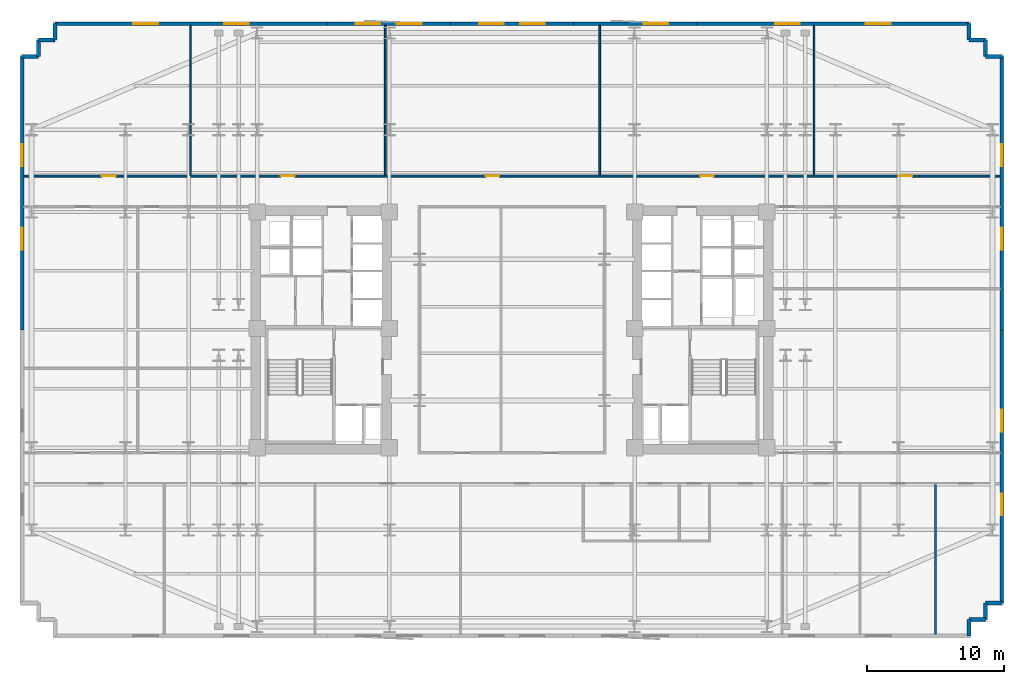
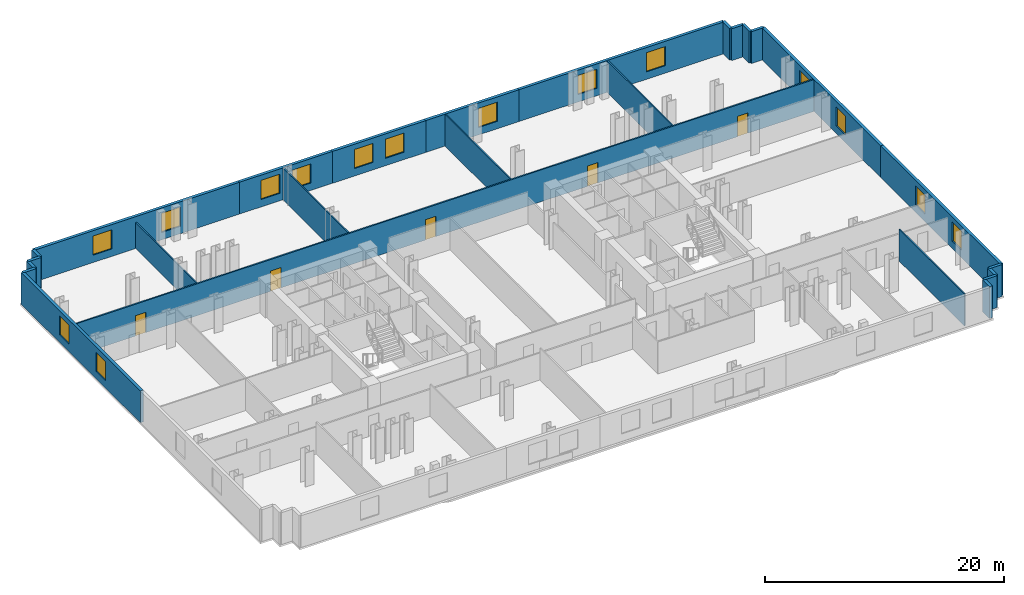
# One storey, part 7 of 10: 26 walls, 15 windows, 5 doors, 20 openings.
"""IFC4 building model written with IfcOpenShell, lengths in metres."""

import ifcopenshell
import ifcopenshell.guid

model = None  # the IFC model being written
_history = None  # IfcOwnerHistory: only IFC2X3 demands one
_inside = {}  # id of a spatial element -> (the spatial element, [elements in it])
_under = {}  # id of a project, library or spatial element -> (it, [spatial elements below it])
_declared = {}  # id of a project -> (the project, [libraries it declares])
_typed = {}  # id of a type object -> (the type object, [elements of that type])
_made_of = {}  # id of a material, layer set ... -> (it, [elements and type objects made of it])


def new_model(schema):
    """Start an empty IFC model of exactly this schema.

    Asked for "IFC4X3", IfcOpenShell would pick the latest addendum, in which some entities
    have other attributes; the version numbers below select the first issue.
    IFC2X3 requires an IfcOwnerHistory on every rooted entity: one is made here for all.
    """
    global model, _history
    if schema == "IFC4X3":
        model = ifcopenshell.file(schema_version=(4, 3, 0, 0))
    else:
        model = ifcopenshell.file(schema=schema)
    _inside.clear()
    _under.clear()
    _declared.clear()
    _typed.clear()
    _made_of.clear()
    _history = None
    if model.schema == "IFC2X3":
        org = make("IfcOrganization", Name="unknown")
        user = make(
            "IfcPersonAndOrganization",
            ThePerson=make("IfcPerson", FamilyName="unknown"),
            TheOrganization=org,
        )
        app = make(
            "IfcApplication",
            ApplicationDeveloper=org,
            Version="unknown",
            ApplicationFullName="unknown",
            ApplicationIdentifier="unknown",
        )
        _history = make(
            "IfcOwnerHistory",
            OwningUser=user,
            OwningApplication=app,
            ChangeAction="ADDED",
            CreationDate=0,
        )
    return model


def make(cls, **values):
    """One entity of the class cls with the attributes given. An attribute that is None is left unset."""
    return model.create_entity(
        cls, **{name: value for name, value in values.items() if value is not None}
    )


def rooted(cls, **values):
    """An entity with a GlobalId (a new one), such as an element, a storey or a relation."""
    return make(cls, GlobalId=ifcopenshell.guid.new(), OwnerHistory=_history, **values)


def si_unit(unit_type, name, prefix=None):
    """IfcSIUnit, for example si_unit("LENGTHUNIT", "METRE", prefix="MILLI")."""
    return make("IfcSIUnit", UnitType=unit_type, Prefix=prefix, Name=name)


def assignment(units):
    """IfcUnitAssignment: the units of a project."""
    return None if units is None else make("IfcUnitAssignment", Units=units)


def point(xyz):
    """IfcCartesianPoint."""
    return None if xyz is None else make("IfcCartesianPoint", Coordinates=xyz)


def direction(xyz):
    """IfcDirection."""
    return None if xyz is None else make("IfcDirection", DirectionRatios=xyz)


def frame(location, z_axis=None, x_axis=None):
    """IfcAxis2Placement3D, a coordinate frame: its origin and axes. An axis left out is left unset."""
    return make(
        "IfcAxis2Placement3D",
        Location=point(location),
        Axis=direction(z_axis),
        RefDirection=direction(x_axis),
    )


def frame_2d(location, x_axis=None):
    """IfcAxis2Placement2D, a coordinate frame in the plane: its origin and x axis."""
    return make(
        "IfcAxis2Placement2D", Location=point(location), RefDirection=direction(x_axis)
    )


def origin():
    """The frame at (0, 0, 0) with its axes left unset."""
    return frame((0.0, 0.0, 0.0))


def place(relative_to, where):
    """IfcLocalPlacement: puts the frame where relative to a parent placement (None: the world)."""
    return make(
        "IfcLocalPlacement", PlacementRelTo=relative_to, RelativePlacement=where
    )


def context(
    kind, dimensions, precision=None, world=None, true_north=None, identifier=None
):
    """IfcGeometricRepresentationContext, for example the 3D "Model" context."""
    return make(
        "IfcGeometricRepresentationContext",
        ContextIdentifier=identifier,
        ContextType=kind,
        CoordinateSpaceDimension=dimensions,
        Precision=precision,
        WorldCoordinateSystem=world,
        TrueNorth=true_north,
    )


def subcontext(parent, identifier, kind, view, scale=None):
    """IfcGeometricRepresentationSubContext, for example "Body" below "Model"."""
    return make(
        "IfcGeometricRepresentationSubContext",
        ContextIdentifier=identifier,
        ContextType=kind,
        ParentContext=parent,
        TargetScale=scale,
        TargetView=view,
    )


def project(units=None, contexts=None):
    """IfcProject with its units and contexts."""
    return rooted(
        "IfcProject",
        Name="project",
        RepresentationContexts=contexts,
        UnitsInContext=assignment(units),
    )


def spatial(cls, under=None, at=None, **own):
    """A site, building, storey or space (cls), placed at a placement, below another one or the project."""
    s = rooted(cls, ObjectPlacement=at, **own)
    if under is not None:
        _under.setdefault(under.id(), (under, []))[1].append(s)
    return s


def profile(cls, at=None, kind="AREA", **sizes):
    """A parametric profile (cls). Its sizes go by their IFC names, for example OverallWidth=200.0."""
    return make(cls, ProfileType=kind, Position=at, **sizes)


def rectangle(**sizes):
    """IfcRectangleProfileDef."""
    return profile("IfcRectangleProfileDef", **sizes)


def extrude(swept, where, along, depth):
    """IfcExtrudedAreaSolid: the profile swept, set in the frame where, extruded along a direction by depth."""
    return make(
        "IfcExtrudedAreaSolid",
        SweptArea=swept,
        Position=where,
        ExtrudedDirection=direction(along),
        Depth=depth,
    )


def shape(context_of_items, identifier, shape_type, items):
    """IfcShapeRepresentation: the items that make up one representation, for example the "Body"."""
    return make(
        "IfcShapeRepresentation",
        ContextOfItems=context_of_items,
        RepresentationIdentifier=identifier,
        RepresentationType=shape_type,
        Items=items,
    )


def material(Name=None, Category=None):
    """IfcMaterial."""
    return make("IfcMaterial", Name=Name, Category=Category)


def layer(
    of_material, thickness, ventilated=None, Name=None, Category=None, Priority=None
):
    """IfcMaterialLayer: one layer of a wall or slab, of a material (None: an air gap)."""
    return make(
        "IfcMaterialLayer",
        Material=of_material,
        LayerThickness=thickness,
        IsVentilated=ventilated,
        Name=Name,
        Category=Category,
        Priority=Priority,
    )


def layer_set(layers, Name=None):
    """IfcMaterialLayerSet."""
    return make("IfcMaterialLayerSet", MaterialLayers=layers, LayerSetName=Name)


def made_of(thing, what):
    """Note that an element or type object is made of a material, layer set ...; save() writes the relation."""
    if what is not None:
        _made_of.setdefault(what.id(), (what, []))[1].append(thing)
    return thing


def type_object(cls, material=None, **own):
    """A type object (cls), such as IfcWallType, which elements share."""
    return made_of(rooted(cls, **own), material)


def element(
    cls,
    number,
    at=None,
    inside=None,
    cuts=None,
    type_object=None,
    material=None,
    context=None,
    identifier="Body",
    shape_type=None,
    held_by="IfcProductDefinitionShape",
    body=None,
    shapes=None,
    **own,
):
    """One element of the class cls, such as IfcWall. Its Tag is "e" and its number.

    at: its placement. inside: the storey or other place that contains it. cuts: it is an
    opening in that element (IfcRelVoidsElement). A single representation is given by context,
    identifier, shape_type and body (its items); several are given by shapes. held_by: the class
    of the entity that holds the representations. save() writes the other relations.
    """
    e = rooted(cls, Tag="e%d" % number, ObjectPlacement=at, **own)
    if body is not None:
        shapes = [shape(context, identifier, shape_type, body)]
    if shapes is not None:
        e.Representation = make(held_by, Representations=shapes)
    if inside is not None:
        _inside.setdefault(inside.id(), (inside, []))[1].append(e)
    if cuts is not None:
        rooted(
            "IfcRelVoidsElement", RelatingBuildingElement=cuts, RelatedOpeningElement=e
        )
    if type_object is not None:
        _typed.setdefault(type_object.id(), (type_object, []))[1].append(e)
    return made_of(e, material)


def fill(opening, filler):
    """IfcRelFillsElement: the door or window that sits in an opening."""
    return rooted(
        "IfcRelFillsElement",
        RelatingOpeningElement=opening,
        RelatedBuildingElement=filler,
    )


def aggregate(whole, parts):
    """IfcRelAggregates: a whole, such as a stair, and the parts it consists of."""
    return rooted("IfcRelAggregates", RelatingObject=whole, RelatedObjects=parts)


def save(model, path):
    """Write the relations noted so far, then the file.

    IfcRelAggregates (storeys below a building ...), IfcRelContainedInSpatialStructure (elements
    in a storey), IfcRelDefinesByType, IfcRelAssociatesMaterial and IfcRelDeclares: one each for
    every whole, place, type object, material and project.
    """
    for whole, parts in _under.values():
        aggregate(whole, parts)
    for where, things in _inside.values():
        rooted(
            "IfcRelContainedInSpatialStructure",
            RelatedElements=things,
            RelatingStructure=where,
        )
    for kind, things in _typed.values():
        rooted("IfcRelDefinesByType", RelatedObjects=things, RelatingType=kind)
    for what, things in _made_of.values():
        rooted("IfcRelAssociatesMaterial", RelatedObjects=things, RelatingMaterial=what)
    for by, libraries in _declared.values():
        rooted("IfcRelDeclares", RelatingContext=by, RelatedDefinitions=libraries)
    model.write(path)


model = new_model("IFC4")

# Units and contexts
model_context = context("Model", 3, precision=1e-05, world=origin(), true_north=direction((0.0, 1.0)))
body_context = subcontext(model_context, "Body", "Model", "MODEL_VIEW")
ifc_project = project(units=[si_unit("LENGTHUNIT", "METRE"), si_unit("AREAUNIT", "SQUARE_METRE"), si_unit("VOLUMEUNIT", "CUBIC_METRE"), si_unit("PLANEANGLEUNIT", "RADIAN"), si_unit("MASSUNIT", "GRAM", prefix="KILO")], contexts=[model_context])

# Site, building, storey
site_placement = place(None, origin())
site = spatial("IfcSite", under=ifc_project, at=site_placement, CompositionType="ELEMENT")
building_placement = place(site_placement, origin())
building = spatial("IfcBuilding", under=site, at=building_placement, Name="Velakula Bourse", CompositionType="ELEMENT")
storey_placement = place(building_placement, frame((0.0, 0.0, 48.449951171875)))
storey = spatial("IfcBuildingStorey", under=building, at=storey_placement, Name="L12", CompositionType="ELEMENT", Elevation=48.449951171875)

# Wall, openings, windows
ifc_material_1 = material(Name="Red kilned clay facing brick masonry", Category="masonry")
ifc_layer_1 = layer(ifc_material_1, 0.280029296875, Name="Red kilned clay facing brick masonry", Category="masonry")
ifc_layer_set_1 = layer_set([ifc_layer_1], Name="Red kilned clay facing brick masonry")
wall_type_1 = type_object("IfcWallType", Name="WL-EXT-BRK-280", PredefinedType="STANDARD", material=ifc_layer_set_1)
wall_1_placement = place(storey_placement, frame((-33.340087890625, 22.340087890625, 0.0), z_axis=(0.0, 0.0, 1.0), x_axis=(1.0, 0.0, 0.0)))
wall_1 = element("IfcWall", 1, at=wall_1_placement, inside=storey, type_object=wall_type_1, Name="L12 N Brick Spandrel Wall B1", PredefinedType="STANDARD", context=body_context, shape_type="SweptSolid", body=[
    extrude(rectangle(XDim=19.840087890625, YDim=0.280029296875, at=frame_2d((9.919921875, 0.0))), origin(), (0.0, 0.0, 1.0), 3.25),
])
opening_1_placement = place(wall_1_placement, frame((5.71337890625, 0.0, 0.760009765625)))
opening_1 = element("IfcOpeningElement", 2, at=opening_1_placement, cuts=wall_1, Name="Opening W-01", PredefinedType="OPENING", context=body_context, shape_type="SweptSolid", body=[
    extrude(rectangle(XDim=1.800048828125, YDim=1.949951171875, at=frame_2d((0.89990234375, 0.97509765625))), frame((0.0, 0.14990234375, 0.0), z_axis=(0.0, -1.0, 0.0), x_axis=(1.0, 0.0, 0.0)), (0.0, 0.0, 1.0), 0.300048828125),
])
opening_2_placement = place(wall_1_placement, frame((12.32666015625, 0.0, 0.760009765625)))
opening_2 = element("IfcOpeningElement", 3, at=opening_2_placement, cuts=wall_1, Name="Opening W-01", PredefinedType="OPENING", context=body_context, shape_type="SweptSolid", body=[
    extrude(rectangle(XDim=1.800048828125, YDim=1.949951171875, at=frame_2d((0.89990234375, 0.97509765625))), frame((0.0, 0.14990234375, 0.0), z_axis=(0.0, -1.0, 0.0), x_axis=(1.0, 0.0, 0.0)), (0.0, 0.0, 1.0), 0.300048828125),
])
ifc_material_2 = material(Name="Double-glazed solar-control Low-E glass", Category="glass")
window_type_1 = type_object("IfcWindowType", Name="WIN-TWR-1800x2100", PartitioningType="SINGLE_PANEL", PredefinedType="WINDOW", material=ifc_material_2)
window_1_placement = place(opening_1_placement, origin())
window_1 = element("IfcWindow", 4, at=window_1_placement, inside=storey, type_object=window_type_1, Name="L12 Deep-Set Recessed Window 1", OverallHeight=1.949951171875, OverallWidth=1.800048828125, PartitioningType="SINGLE_PANEL", PredefinedType="WINDOW", context=body_context, shape_type="SweptSolid", body=[
    extrude(rectangle(XDim=1.800048828125, YDim=1.949951171875, at=frame_2d((0.89990234375, 0.97509765625))), frame((0.0, 0.030029296875, 0.0), z_axis=(0.0, -1.0, 0.0), x_axis=(1.0, 0.0, 0.0)), (0.0, 0.0, 1.0), 0.06005859375),
])
fill(opening_1, window_1)
window_2_placement = place(opening_2_placement, origin())
window_2 = element("IfcWindow", 5, at=window_2_placement, inside=storey, type_object=window_type_1, Name="L12 Deep-Set Recessed Window 2", OverallHeight=1.949951171875, OverallWidth=1.800048828125, PartitioningType="SINGLE_PANEL", PredefinedType="WINDOW", context=body_context, shape_type="SweptSolid", body=[
    extrude(rectangle(XDim=1.800048828125, YDim=1.949951171875, at=frame_2d((0.89990234375, 0.97509765625))), frame((0.0, 0.030029296875, 0.0), z_axis=(0.0, -1.0, 0.0), x_axis=(1.0, 0.0, 0.0)), (0.0, 0.0, 1.0), 0.06005859375),
])
fill(opening_2, window_2)

wall_2_placement = place(storey_placement, frame((-13.5, 22.340087890625, 0.0), z_axis=(0.0, 0.0, 1.0), x_axis=(1.0, 0.0, 0.0)))
wall_2 = element("IfcWall", 6, at=wall_2_placement, inside=storey, type_object=wall_type_1, Name="L12 N Brick Spandrel Wall B2", PredefinedType="STANDARD", context=body_context, shape_type="SweptSolid", body=[
    extrude(rectangle(XDim=9.0, YDim=0.280029296875, at=frame_2d((4.5, 0.0))), origin(), (0.0, 0.0, 1.0), 3.25),
])
opening_3_placement = place(wall_2_placement, frame((2.10009765625, 0.0, 0.760009765625)))
opening_3 = element("IfcOpeningElement", 7, at=opening_3_placement, cuts=wall_2, Name="Opening W-01", PredefinedType="OPENING", context=body_context, shape_type="SweptSolid", body=[
    extrude(rectangle(XDim=1.800048828125, YDim=1.949951171875, at=frame_2d((0.89990234375, 0.97509765625))), frame((0.0, 0.14990234375, 0.0), z_axis=(0.0, -1.0, 0.0), x_axis=(1.0, 0.0, 0.0)), (0.0, 0.0, 1.0), 0.300048828125),
])
opening_4_placement = place(wall_2_placement, frame((5.10009765625, 0.0, 0.760009765625)))
opening_4 = element("IfcOpeningElement", 8, at=opening_4_placement, cuts=wall_2, Name="Opening W-01", PredefinedType="OPENING", context=body_context, shape_type="SweptSolid", body=[
    extrude(rectangle(XDim=1.800048828125, YDim=1.949951171875, at=frame_2d((0.89990234375, 0.97509765625))), frame((0.0, 0.14990234375, 0.0), z_axis=(0.0, -1.0, 0.0), x_axis=(1.0, 0.0, 0.0)), (0.0, 0.0, 1.0), 0.300048828125),
])
window_3_placement = place(opening_3_placement, origin())
window_3 = element("IfcWindow", 9, at=window_3_placement, inside=storey, type_object=window_type_1, Name="L12 Deep-Set Recessed Window 1", OverallHeight=1.949951171875, OverallWidth=1.800048828125, PartitioningType="SINGLE_PANEL", PredefinedType="WINDOW", context=body_context, shape_type="SweptSolid", body=[
    extrude(rectangle(XDim=1.800048828125, YDim=1.949951171875, at=frame_2d((0.89990234375, 0.97509765625))), frame((0.0, 0.030029296875, 0.0), z_axis=(0.0, -1.0, 0.0), x_axis=(1.0, 0.0, 0.0)), (0.0, 0.0, 1.0), 0.06005859375),
])
fill(opening_3, window_3)
window_4_placement = place(opening_4_placement, origin())
window_4 = element("IfcWindow", 10, at=window_4_placement, inside=storey, type_object=window_type_1, Name="L12 Deep-Set Recessed Window 2", OverallHeight=1.949951171875, OverallWidth=1.800048828125, PartitioningType="SINGLE_PANEL", PredefinedType="WINDOW", context=body_context, shape_type="SweptSolid", body=[
    extrude(rectangle(XDim=1.800048828125, YDim=1.949951171875, at=frame_2d((0.89990234375, 0.97509765625))), frame((0.0, 0.030029296875, 0.0), z_axis=(0.0, -1.0, 0.0), x_axis=(1.0, 0.0, 0.0)), (0.0, 0.0, 1.0), 0.06005859375),
])
fill(opening_4, window_4)

wall_3_placement = place(storey_placement, frame((-4.5, 22.340087890625, 0.0), z_axis=(0.0, 0.0, 1.0), x_axis=(1.0, 0.0, 0.0)))
wall_3 = element("IfcWall", 11, at=wall_3_placement, inside=storey, type_object=wall_type_1, Name="L12 N Brick Spandrel Wall B3", PredefinedType="STANDARD", context=body_context, shape_type="SweptSolid", body=[
    extrude(rectangle(XDim=9.0, YDim=0.280029296875, at=frame_2d((4.5, 0.0))), origin(), (0.0, 0.0, 1.0), 3.25),
])
opening_5_placement = place(wall_3_placement, frame((2.10009765625, 0.0, 0.760009765625)))
opening_5 = element("IfcOpeningElement", 12, at=opening_5_placement, cuts=wall_3, Name="Opening W-01", PredefinedType="OPENING", context=body_context, shape_type="SweptSolid", body=[
    extrude(rectangle(XDim=1.800048828125, YDim=1.949951171875, at=frame_2d((0.89990234375, 0.97509765625))), frame((0.0, 0.14990234375, 0.0), z_axis=(0.0, -1.0, 0.0), x_axis=(1.0, 0.0, 0.0)), (0.0, 0.0, 1.0), 0.300048828125),
])
opening_6_placement = place(wall_3_placement, frame((5.10009765625, 0.0, 0.760009765625)))
opening_6 = element("IfcOpeningElement", 13, at=opening_6_placement, cuts=wall_3, Name="Opening W-01", PredefinedType="OPENING", context=body_context, shape_type="SweptSolid", body=[
    extrude(rectangle(XDim=1.800048828125, YDim=1.949951171875, at=frame_2d((0.89990234375, 0.97509765625))), frame((0.0, 0.14990234375, 0.0), z_axis=(0.0, -1.0, 0.0), x_axis=(1.0, 0.0, 0.0)), (0.0, 0.0, 1.0), 0.300048828125),
])
window_5_placement = place(opening_5_placement, origin())
window_5 = element("IfcWindow", 14, at=window_5_placement, inside=storey, type_object=window_type_1, Name="L12 Deep-Set Recessed Window 1", OverallHeight=1.949951171875, OverallWidth=1.800048828125, PartitioningType="SINGLE_PANEL", PredefinedType="WINDOW", context=body_context, shape_type="SweptSolid", body=[
    extrude(rectangle(XDim=1.800048828125, YDim=1.949951171875, at=frame_2d((0.89990234375, 0.97509765625))), frame((0.0, 0.030029296875, 0.0), z_axis=(0.0, -1.0, 0.0), x_axis=(1.0, 0.0, 0.0)), (0.0, 0.0, 1.0), 0.06005859375),
])
fill(opening_5, window_5)
window_6_placement = place(opening_6_placement, origin())
window_6 = element("IfcWindow", 15, at=window_6_placement, inside=storey, type_object=window_type_1, Name="L12 Deep-Set Recessed Window 2", OverallHeight=1.949951171875, OverallWidth=1.800048828125, PartitioningType="SINGLE_PANEL", PredefinedType="WINDOW", context=body_context, shape_type="SweptSolid", body=[
    extrude(rectangle(XDim=1.800048828125, YDim=1.949951171875, at=frame_2d((0.89990234375, 0.97509765625))), frame((0.0, 0.030029296875, 0.0), z_axis=(0.0, -1.0, 0.0), x_axis=(1.0, 0.0, 0.0)), (0.0, 0.0, 1.0), 0.06005859375),
])
fill(opening_6, window_6)

# Wall, opening, window
wall_4_placement = place(storey_placement, frame((4.5, 22.340087890625, 0.0), z_axis=(0.0, 0.0, 1.0), x_axis=(1.0, 0.0, 0.0)))
wall_4 = element("IfcWall", 16, at=wall_4_placement, inside=storey, type_object=wall_type_1, Name="L12 N Brick Spandrel Wall B4", PredefinedType="STANDARD", context=body_context, shape_type="SweptSolid", body=[
    extrude(rectangle(XDim=9.0, YDim=0.280029296875, at=frame_2d((4.5, 0.0))), origin(), (0.0, 0.0, 1.0), 3.25),
])
opening_7_placement = place(wall_4_placement, frame((5.10009765625, 0.0, 0.760009765625)))
opening_7 = element("IfcOpeningElement", 17, at=opening_7_placement, cuts=wall_4, Name="Opening W-01", PredefinedType="OPENING", context=body_context, shape_type="SweptSolid", body=[
    extrude(rectangle(XDim=1.800048828125, YDim=1.949951171875, at=frame_2d((0.89990234375, 0.97509765625))), frame((0.0, 0.14990234375, 0.0), z_axis=(0.0, -1.0, 0.0), x_axis=(1.0, 0.0, 0.0)), (0.0, 0.0, 1.0), 0.300048828125),
])
window_7_placement = place(opening_7_placement, origin())
window_7 = element("IfcWindow", 18, at=window_7_placement, inside=storey, type_object=window_type_1, Name="L12 Deep-Set Recessed Window 1", OverallHeight=1.949951171875, OverallWidth=1.800048828125, PartitioningType="SINGLE_PANEL", PredefinedType="WINDOW", context=body_context, shape_type="SweptSolid", body=[
    extrude(rectangle(XDim=1.800048828125, YDim=1.949951171875, at=frame_2d((0.89990234375, 0.97509765625))), frame((0.0, 0.030029296875, 0.0), z_axis=(0.0, -1.0, 0.0), x_axis=(1.0, 0.0, 0.0)), (0.0, 0.0, 1.0), 0.06005859375),
])
fill(opening_7, window_7)

# Wall, openings, windows
wall_5_placement = place(storey_placement, frame((13.5, 22.340087890625, 0.0), z_axis=(0.0, 0.0, 1.0), x_axis=(1.0, 0.0, 0.0)))
wall_5 = element("IfcWall", 19, at=wall_5_placement, inside=storey, type_object=wall_type_1, Name="L12 N Brick Spandrel Wall B5", PredefinedType="STANDARD", context=body_context, shape_type="SweptSolid", body=[
    extrude(rectangle(XDim=19.840087890625, YDim=0.280029296875, at=frame_2d((9.919921875, 0.0))), origin(), (0.0, 0.0, 1.0), 3.25),
])
opening_8_placement = place(wall_5_placement, frame((5.71337890625, 0.0, 0.760009765625)))
opening_8 = element("IfcOpeningElement", 20, at=opening_8_placement, cuts=wall_5, Name="Opening W-01", PredefinedType="OPENING", context=body_context, shape_type="SweptSolid", body=[
    extrude(rectangle(XDim=1.800048828125, YDim=1.949951171875, at=frame_2d((0.89990234375, 0.97509765625))), frame((0.0, 0.14990234375, 0.0), z_axis=(0.0, -1.0, 0.0), x_axis=(1.0, 0.0, 0.0)), (0.0, 0.0, 1.0), 0.300048828125),
])
opening_9_placement = place(wall_5_placement, frame((12.32666015625, 0.0, 0.760009765625)))
opening_9 = element("IfcOpeningElement", 21, at=opening_9_placement, cuts=wall_5, Name="Opening W-01", PredefinedType="OPENING", context=body_context, shape_type="SweptSolid", body=[
    extrude(rectangle(XDim=1.800048828125, YDim=1.949951171875, at=frame_2d((0.89990234375, 0.97509765625))), frame((0.0, 0.14990234375, 0.0), z_axis=(0.0, -1.0, 0.0), x_axis=(1.0, 0.0, 0.0)), (0.0, 0.0, 1.0), 0.300048828125),
])
window_8_placement = place(opening_8_placement, origin())
window_8 = element("IfcWindow", 22, at=window_8_placement, inside=storey, type_object=window_type_1, Name="L12 Deep-Set Recessed Window 1", OverallHeight=1.949951171875, OverallWidth=1.800048828125, PartitioningType="SINGLE_PANEL", PredefinedType="WINDOW", context=body_context, shape_type="SweptSolid", body=[
    extrude(rectangle(XDim=1.800048828125, YDim=1.949951171875, at=frame_2d((0.89990234375, 0.97509765625))), frame((0.0, 0.030029296875, 0.0), z_axis=(0.0, -1.0, 0.0), x_axis=(1.0, 0.0, 0.0)), (0.0, 0.0, 1.0), 0.06005859375),
])
fill(opening_8, window_8)
window_9_placement = place(opening_9_placement, origin())
window_9 = element("IfcWindow", 23, at=window_9_placement, inside=storey, type_object=window_type_1, Name="L12 Deep-Set Recessed Window 2", OverallHeight=1.949951171875, OverallWidth=1.800048828125, PartitioningType="SINGLE_PANEL", PredefinedType="WINDOW", context=body_context, shape_type="SweptSolid", body=[
    extrude(rectangle(XDim=1.800048828125, YDim=1.949951171875, at=frame_2d((0.89990234375, 0.97509765625))), frame((0.0, 0.030029296875, 0.0), z_axis=(0.0, -1.0, 0.0), x_axis=(1.0, 0.0, 0.0)), (0.0, 0.0, 1.0), 0.06005859375),
])
fill(opening_9, window_9)

wall_6_placement = place(storey_placement, frame((-35.739990234375, 0.0, 0.0), z_axis=(0.0, 0.0, 1.0), x_axis=(0.0, 1.0, 0.0)))
wall_6 = element("IfcWall", 24, at=wall_6_placement, inside=storey, type_object=wall_type_1, Name="L12 W Brick End Wall W2", PredefinedType="STANDARD", context=body_context, shape_type="SweptSolid", body=[
    extrude(rectangle(XDim=19.93994140625, YDim=0.280029296875, at=frame_2d((9.969970703125, 0.0))), origin(), (0.0, 0.0, 1.0), 3.25),
])
opening_10_placement = place(wall_6_placement, frame((5.8466796875, 0.0, 0.760009765625)))
opening_10 = element("IfcOpeningElement", 25, at=opening_10_placement, cuts=wall_6, Name="Opening W-02", PredefinedType="OPENING", context=body_context, shape_type="SweptSolid", body=[
    extrude(rectangle(XDim=1.60009765625, YDim=1.949951171875, at=frame_2d((0.800048828125, 0.97509765625))), frame((0.0, 0.14990234375, 0.0), z_axis=(0.0, -1.0, 0.0), x_axis=(1.0, 0.0, 0.0)), (0.0, 0.0, 1.0), 0.300048828125),
])
opening_11_placement = place(wall_6_placement, frame((11.943359375, 0.0, 0.760009765625)))
opening_11 = element("IfcOpeningElement", 26, at=opening_11_placement, cuts=wall_6, Name="Opening W-02", PredefinedType="OPENING", context=body_context, shape_type="SweptSolid", body=[
    extrude(rectangle(XDim=1.60009765625, YDim=1.949951171875, at=frame_2d((0.800048828125, 0.97509765625))), frame((0.0, 0.14990234375, 0.0), z_axis=(0.0, -1.0, 0.0), x_axis=(1.0, 0.0, 0.0)), (0.0, 0.0, 1.0), 0.300048828125),
])
window_type_2 = type_object("IfcWindowType", Name="WIN-TWR-1600x2100", PartitioningType="SINGLE_PANEL", PredefinedType="WINDOW", material=ifc_material_2)
window_10_placement = place(opening_10_placement, origin())
window_10 = element("IfcWindow", 27, at=window_10_placement, inside=storey, type_object=window_type_2, Name="L12 Deep-Set Recessed Window 1", OverallHeight=1.949951171875, OverallWidth=1.60009765625, PartitioningType="SINGLE_PANEL", PredefinedType="WINDOW", context=body_context, shape_type="SweptSolid", body=[
    extrude(rectangle(XDim=1.60009765625, YDim=1.949951171875, at=frame_2d((0.800048828125, 0.97509765625))), frame((0.0, 0.030029296875, 0.0), z_axis=(0.0, -1.0, 0.0), x_axis=(1.0, 0.0, 0.0)), (0.0, 0.0, 1.0), 0.06005859375),
])
fill(opening_10, window_10)
window_11_placement = place(opening_11_placement, origin())
window_11 = element("IfcWindow", 28, at=window_11_placement, inside=storey, type_object=window_type_2, Name="L12 Deep-Set Recessed Window 2", OverallHeight=1.949951171875, OverallWidth=1.60009765625, PartitioningType="SINGLE_PANEL", PredefinedType="WINDOW", context=body_context, shape_type="SweptSolid", body=[
    extrude(rectangle(XDim=1.60009765625, YDim=1.949951171875, at=frame_2d((0.800048828125, 0.97509765625))), frame((0.0, 0.030029296875, 0.0), z_axis=(0.0, -1.0, 0.0), x_axis=(1.0, 0.0, 0.0)), (0.0, 0.0, 1.0), 0.06005859375),
])
fill(opening_11, window_11)

wall_7_placement = place(storey_placement, frame((35.739990234375, 0.0, 0.0), z_axis=(0.0, 0.0, 1.0), x_axis=(0.0, -1.0, 0.0)))
wall_7 = element("IfcWall", 29, at=wall_7_placement, inside=storey, type_object=wall_type_1, Name="L12 E Brick End Wall W1", PredefinedType="STANDARD", context=body_context, shape_type="SweptSolid", body=[
    extrude(rectangle(XDim=19.93994140625, YDim=0.280029296875, at=frame_2d((9.969970703125, 0.0))), origin(), (0.0, 0.0, 1.0), 3.25),
])
opening_12_placement = place(wall_7_placement, frame((5.8466796875, 0.0, 0.760009765625)))
opening_12 = element("IfcOpeningElement", 30, at=opening_12_placement, cuts=wall_7, Name="Opening W-02", PredefinedType="OPENING", context=body_context, shape_type="SweptSolid", body=[
    extrude(rectangle(XDim=1.60009765625, YDim=1.949951171875, at=frame_2d((0.800048828125, 0.97509765625))), frame((0.0, 0.14990234375, 0.0), z_axis=(0.0, -1.0, 0.0), x_axis=(1.0, 0.0, 0.0)), (0.0, 0.0, 1.0), 0.300048828125),
])
opening_13_placement = place(wall_7_placement, frame((11.943359375, 0.0, 0.760009765625)))
opening_13 = element("IfcOpeningElement", 31, at=opening_13_placement, cuts=wall_7, Name="Opening W-02", PredefinedType="OPENING", context=body_context, shape_type="SweptSolid", body=[
    extrude(rectangle(XDim=1.60009765625, YDim=1.949951171875, at=frame_2d((0.800048828125, 0.97509765625))), frame((0.0, 0.14990234375, 0.0), z_axis=(0.0, -1.0, 0.0), x_axis=(1.0, 0.0, 0.0)), (0.0, 0.0, 1.0), 0.300048828125),
])
window_12_placement = place(opening_12_placement, origin())
window_12 = element("IfcWindow", 32, at=window_12_placement, inside=storey, type_object=window_type_2, Name="L12 Deep-Set Recessed Window 1", OverallHeight=1.949951171875, OverallWidth=1.60009765625, PartitioningType="SINGLE_PANEL", PredefinedType="WINDOW", context=body_context, shape_type="SweptSolid", body=[
    extrude(rectangle(XDim=1.60009765625, YDim=1.949951171875, at=frame_2d((0.800048828125, 0.97509765625))), frame((0.0, 0.030029296875, 0.0), z_axis=(0.0, -1.0, 0.0), x_axis=(1.0, 0.0, 0.0)), (0.0, 0.0, 1.0), 0.06005859375),
])
fill(opening_12, window_12)
window_13_placement = place(opening_13_placement, origin())
window_13 = element("IfcWindow", 33, at=window_13_placement, inside=storey, type_object=window_type_2, Name="L12 Deep-Set Recessed Window 2", OverallHeight=1.949951171875, OverallWidth=1.60009765625, PartitioningType="SINGLE_PANEL", PredefinedType="WINDOW", context=body_context, shape_type="SweptSolid", body=[
    extrude(rectangle(XDim=1.60009765625, YDim=1.949951171875, at=frame_2d((0.800048828125, 0.97509765625))), frame((0.0, 0.030029296875, 0.0), z_axis=(0.0, -1.0, 0.0), x_axis=(1.0, 0.0, 0.0)), (0.0, 0.0, 1.0), 0.06005859375),
])
fill(opening_13, window_13)

wall_8_placement = place(storey_placement, frame((35.739990234375, 19.93994140625, 0.0), z_axis=(0.0, 0.0, 1.0), x_axis=(0.0, -1.0, 0.0)))
wall_8 = element("IfcWall", 34, at=wall_8_placement, inside=storey, type_object=wall_type_1, Name="L12 E Brick End Wall W2", PredefinedType="STANDARD", context=body_context, shape_type="SweptSolid", body=[
    extrude(rectangle(XDim=19.93994140625, YDim=0.280029296875, at=frame_2d((9.969970703125, 0.0))), origin(), (0.0, 0.0, 1.0), 3.25),
])
opening_14_placement = place(wall_8_placement, frame((6.396728515625, 0.0, 0.760009765625)))
opening_14 = element("IfcOpeningElement", 35, at=opening_14_placement, cuts=wall_8, Name="Opening W-02", PredefinedType="OPENING", context=body_context, shape_type="SweptSolid", body=[
    extrude(rectangle(XDim=1.60009765625, YDim=1.949951171875, at=frame_2d((0.800048828125, 0.97509765625))), frame((0.0, 0.14990234375, 0.0), z_axis=(0.0, -1.0, 0.0), x_axis=(1.0, 0.0, 0.0)), (0.0, 0.0, 1.0), 0.300048828125),
])
opening_15_placement = place(wall_8_placement, frame((12.493408203125, 0.0, 0.760009765625)))
opening_15 = element("IfcOpeningElement", 36, at=opening_15_placement, cuts=wall_8, Name="Opening W-02", PredefinedType="OPENING", context=body_context, shape_type="SweptSolid", body=[
    extrude(rectangle(XDim=1.60009765625, YDim=1.949951171875, at=frame_2d((0.800048828125, 0.97509765625))), frame((0.0, 0.14990234375, 0.0), z_axis=(0.0, -1.0, 0.0), x_axis=(1.0, 0.0, 0.0)), (0.0, 0.0, 1.0), 0.300048828125),
])
window_14_placement = place(opening_14_placement, origin())
window_14 = element("IfcWindow", 37, at=window_14_placement, inside=storey, type_object=window_type_2, Name="L12 Deep-Set Recessed Window 1", OverallHeight=1.949951171875, OverallWidth=1.60009765625, PartitioningType="SINGLE_PANEL", PredefinedType="WINDOW", context=body_context, shape_type="SweptSolid", body=[
    extrude(rectangle(XDim=1.60009765625, YDim=1.949951171875, at=frame_2d((0.800048828125, 0.97509765625))), frame((0.0, 0.030029296875, 0.0), z_axis=(0.0, -1.0, 0.0), x_axis=(1.0, 0.0, 0.0)), (0.0, 0.0, 1.0), 0.06005859375),
])
fill(opening_14, window_14)
window_15_placement = place(opening_15_placement, origin())
window_15 = element("IfcWindow", 38, at=window_15_placement, inside=storey, type_object=window_type_2, Name="L12 Deep-Set Recessed Window 2", OverallHeight=1.949951171875, OverallWidth=1.60009765625, PartitioningType="SINGLE_PANEL", PredefinedType="WINDOW", context=body_context, shape_type="SweptSolid", body=[
    extrude(rectangle(XDim=1.60009765625, YDim=1.949951171875, at=frame_2d((0.800048828125, 0.97509765625))), frame((0.0, 0.030029296875, 0.0), z_axis=(0.0, -1.0, 0.0), x_axis=(1.0, 0.0, 0.0)), (0.0, 0.0, 1.0), 0.06005859375),
])
fill(opening_15, window_15)

# Walls
wall_9_placement = place(storey_placement, frame((33.340087890625, -22.340087890625, 0.0), z_axis=(0.0, 0.0, 1.0), x_axis=(0.0, 1.0, 0.0)))
element("IfcWall", 39, at=wall_9_placement, inside=storey, type_object=wall_type_1, Name="L12 Serrated Corner Brick Wall SE-1", PredefinedType="STANDARD", context=body_context, shape_type="SweptSolid", body=[
    extrude(rectangle(XDim=1.2001953125, YDim=0.280029296875, at=frame_2d((0.60009765625, 0.0))), origin(), (0.0, 0.0, 1.0), 3.25),
])
for number, where, z_axis, x_axis, name in (
    (40, (33.340087890625, -21.139892578125, 0.0), (0.0, 0.0, 1.0), (1.0, 0.0, 0.0), "L12 Serrated Corner Brick Wall SE-2"),
    (41, (34.5400390625, -21.139892578125, 0.0), (0.0, 0.0, 1.0), (0.0, 1.0, 0.0), "L12 Serrated Corner Brick Wall SE-3"),
    (42, (34.5400390625, -19.93994140625, 0.0), (0.0, 0.0, 1.0), (1.0, 0.0, 0.0), "L12 Serrated Corner Brick Wall SE-4"),
    (43, (35.739990234375, 19.93994140625, 0.0), (0.0, 0.0, 1.0), (-1.0, 0.0, 0.0), "L12 Serrated Corner Brick Wall NE-1"),
    (44, (34.5400390625, 19.93994140625, 0.0), (0.0, 0.0, 1.0), (0.0, 1.0, 0.0), "L12 Serrated Corner Brick Wall NE-2"),
    (45, (34.5400390625, 21.139892578125, 0.0), (0.0, 0.0, 1.0), (-1.0, 0.0, 0.0), "L12 Serrated Corner Brick Wall NE-3"),
):
    element("IfcWall", number, at=place(storey_placement, frame(where, z_axis=z_axis, x_axis=x_axis)), inside=storey, type_object=wall_type_1, Name=name, PredefinedType="STANDARD", context=body_context, shape_type="SweptSolid", body=[
        extrude(rectangle(XDim=1.199951171875, YDim=0.280029296875, at=frame_2d((0.60009765625, 0.0))), origin(), (0.0, 0.0, 1.0), 3.25),
    ])
for number, where, z_axis, x_axis, name in (
    (46, (33.340087890625, 21.139892578125, 0.0), (0.0, 0.0, 1.0), (0.0, 1.0, 0.0), "L12 Serrated Corner Brick Wall NE-4"),
    (47, (-33.340087890625, 22.340087890625, 0.0), (0.0, 0.0, 1.0), (0.0, -1.0, 0.0), "L12 Serrated Corner Brick Wall NW-1"),
):
    element("IfcWall", number, at=place(storey_placement, frame(where, z_axis=z_axis, x_axis=x_axis)), inside=storey, type_object=wall_type_1, Name=name, PredefinedType="STANDARD", context=body_context, shape_type="SweptSolid", body=[
        extrude(rectangle(XDim=1.2001953125, YDim=0.280029296875, at=frame_2d((0.60009765625, 0.0))), origin(), (0.0, 0.0, 1.0), 3.25),
    ])
for number, where, z_axis, x_axis, name in (
    (48, (-33.340087890625, 21.139892578125, 0.0), (0.0, 0.0, 1.0), (-1.0, 0.0, 0.0), "L12 Serrated Corner Brick Wall NW-2"),
    (49, (-34.5400390625, 21.139892578125, 0.0), (0.0, 0.0, 1.0), (0.0, -1.0, 0.0), "L12 Serrated Corner Brick Wall NW-3"),
    (50, (-34.5400390625, 19.93994140625, 0.0), (0.0, 0.0, 1.0), (-1.0, 0.0, 0.0), "L12 Serrated Corner Brick Wall NW-4"),
):
    element("IfcWall", number, at=place(storey_placement, frame(where, z_axis=z_axis, x_axis=x_axis)), inside=storey, type_object=wall_type_1, Name=name, PredefinedType="STANDARD", context=body_context, shape_type="SweptSolid", body=[
        extrude(rectangle(XDim=1.199951171875, YDim=0.280029296875, at=frame_2d((0.60009765625, 0.0))), origin(), (0.0, 0.0, 1.0), 3.25),
    ])
ifc_material_3 = material(Name="Fire-rated double-layer gypsum drywall partition", Category="gypsum")
ifc_layer_2 = layer(ifc_material_3, 0.1201171875, Name="Fire-rated double-layer gypsum drywall partition", Category="gypsum")
ifc_layer_set_2 = layer_set([ifc_layer_2], Name="Fire-rated double-layer gypsum drywall partition")
wall_type_2 = type_object("IfcWallType", Name="WL-PART-120", PredefinedType="STANDARD", material=ifc_layer_set_2)
wall_10_placement = place(storey_placement, frame((-23.469970703125, 11.2900390625, 0.0), z_axis=(0.0, 0.0, 1.0), x_axis=(0.0, 1.0, 0.0)))
element("IfcWall", 51, at=wall_10_placement, inside=storey, type_object=wall_type_2, Name="L12 Interior Partition WL-INT-L12-N-D1", PredefinedType="STANDARD", context=body_context, shape_type="SweptSolid", body=[
    extrude(rectangle(XDim=10.929931640625, YDim=0.1201171875, at=frame_2d((5.46484375, 0.0))), origin(), (0.0, 0.0, 1.0), 2.64501953125),
])
for number, where, z_axis, x_axis, name in (
    (52, (-9.24609375, 11.2900390625, 0.0), (0.0, 0.0, 1.0), (0.0, 1.0, 0.0), "L12 Interior Partition WL-INT-L12-N-D2"),
    (53, (6.40087890625, 11.2900390625, 0.0), (0.0, 0.0, 1.0), (0.0, 1.0, 0.0), "L12 Interior Partition WL-INT-L12-N-D3"),
    (54, (22.047119140625, 11.2900390625, 0.0), (0.0, 0.0, 1.0), (0.0, 1.0, 0.0), "L12 Interior Partition WL-INT-L12-N-D4"),
    (55, (30.905029296875, -22.219970703125, 0.0), (0.0, 0.0, 1.0), (0.0, 1.0, 0.0), "L12 Interior Partition WL-INT-L12-SR-D10"),
):
    element("IfcWall", number, at=place(storey_placement, frame(where, z_axis=z_axis, x_axis=x_axis)), inside=storey, type_object=wall_type_2, Name=name, PredefinedType="STANDARD", context=body_context, shape_type="SweptSolid", body=[
        extrude(rectangle(XDim=10.929931640625, YDim=0.1201171875, at=frame_2d((5.46484375, 0.0))), origin(), (0.0, 0.0, 1.0), 3.25),
    ])

# Wall, openings, doors
ifc_layer_3 = layer(ifc_material_3, 0.139892578125, Name="Fire-rated double-layer gypsum drywall partition", Category="gypsum")
ifc_layer_set_3 = layer_set([ifc_layer_3], Name="Fire-rated double-layer gypsum drywall partition")
wall_type_3 = type_object("IfcWallType", Name="WL-PART-140", PredefinedType="STANDARD", material=ifc_layer_set_3)
wall_11_placement = place(storey_placement, frame((-35.6201171875, 11.219970703125, 0.0), z_axis=(0.0, 0.0, 1.0), x_axis=(1.0, 0.0, 0.0)))
wall_11 = element("IfcWall", 56, at=wall_11_placement, inside=storey, type_object=wall_type_3, Name="L12 Interior Partition WL-INT-L12-N-CORR", PredefinedType="STANDARD", context=body_context, shape_type="SweptSolid", body=[
    extrude(rectangle(XDim=71.240234375, YDim=0.139892578125, at=frame_2d((35.6201171875, 0.0))), origin(), (0.0, 0.0, 1.0), 3.25),
])
opening_16_placement = place(wall_11_placement, frame((5.700927734375, 0.0, 0.0)))
opening_16 = element("IfcOpeningElement", 57, at=opening_16_placement, cuts=wall_11, Name="Opening D-OF1", PredefinedType="OPENING", context=body_context, shape_type="SweptSolid", body=[
    extrude(rectangle(XDim=1.0, YDim=2.080078125, at=frame_2d((0.5, 1.0400390625))), frame((0.0, 0.079833984375, 0.0), z_axis=(0.0, -1.0, 0.0), x_axis=(1.0, 0.0, 0.0)), (0.0, 0.0, 1.0), 0.159912109375),
])
opening_17_placement = place(wall_11_placement, frame((18.761962890625, 0.0, 0.0)))
opening_17 = element("IfcOpeningElement", 58, at=opening_17_placement, cuts=wall_11, Name="Opening D-OF1", PredefinedType="OPENING", context=body_context, shape_type="SweptSolid", body=[
    extrude(rectangle(XDim=1.0, YDim=2.080078125, at=frame_2d((0.5, 1.0400390625))), frame((0.0, 0.079833984375, 0.0), z_axis=(0.0, -1.0, 0.0), x_axis=(1.0, 0.0, 0.0)), (0.0, 0.0, 1.0), 0.159912109375),
])
opening_18_placement = place(wall_11_placement, frame((33.697509765625, 0.0, 0.0)))
opening_18 = element("IfcOpeningElement", 59, at=opening_18_placement, cuts=wall_11, Name="Opening D-OF1", PredefinedType="OPENING", context=body_context, shape_type="SweptSolid", body=[
    extrude(rectangle(XDim=1.0, YDim=2.080078125, at=frame_2d((0.5, 1.0400390625))), frame((0.0, 0.079833984375, 0.0), z_axis=(0.0, -1.0, 0.0), x_axis=(1.0, 0.0, 0.0)), (0.0, 0.0, 1.0), 0.159912109375),
])
opening_19_placement = place(wall_11_placement, frame((49.343994140625, 0.0, 0.0)))
opening_19 = element("IfcOpeningElement", 60, at=opening_19_placement, cuts=wall_11, Name="Opening D-OF1", PredefinedType="OPENING", context=body_context, shape_type="SweptSolid", body=[
    extrude(rectangle(XDim=1.0, YDim=2.080078125, at=frame_2d((0.5, 1.0400390625))), frame((0.0, 0.079833984375, 0.0), z_axis=(0.0, -1.0, 0.0), x_axis=(1.0, 0.0, 0.0)), (0.0, 0.0, 1.0), 0.159912109375),
])
opening_20_placement = place(wall_11_placement, frame((63.827392578125, 0.0, 0.0)))
opening_20 = element("IfcOpeningElement", 61, at=opening_20_placement, cuts=wall_11, Name="Opening D-OF1", PredefinedType="OPENING", context=body_context, shape_type="SweptSolid", body=[
    extrude(rectangle(XDim=1.0, YDim=2.080078125, at=frame_2d((0.5, 1.0400390625))), frame((0.0, 0.079833984375, 0.0), z_axis=(0.0, -1.0, 0.0), x_axis=(1.0, 0.0, 0.0)), (0.0, 0.0, 1.0), 0.159912109375),
])
ifc_material_4 = material(Name="Fire-rated hardwood flush architectural door", Category="wood")
door_type = type_object("IfcDoorType", Name="DR-OFF-1000", OperationType="NOTDEFINED", PredefinedType="DOOR", material=ifc_material_4)
door_1_placement = place(opening_16_placement, origin())
door_1 = element("IfcDoor", 62, at=door_1_placement, inside=storey, type_object=door_type, Name="L12 Derivatives Dealing Workspace Door", OperationType="SINGLE_SWING_LEFT", OverallHeight=2.080078125, OverallWidth=1.0, PredefinedType="DOOR", context=body_context, shape_type="SweptSolid", body=[
    extrude(rectangle(XDim=1.0, YDim=2.080078125, at=frame_2d((0.5, 1.0400390625))), frame((0.0, 0.02490234375, 0.0), z_axis=(0.0, -1.0, 0.0), x_axis=(1.0, 0.0, 0.0)), (0.0, 0.0, 1.0), 0.050048828125),
])
fill(opening_16, door_1)
door_2_placement = place(opening_17_placement, origin())
door_2 = element("IfcDoor", 63, at=door_2_placement, inside=storey, type_object=door_type, Name="L12 Risk Review Boardroom Door", OperationType="SINGLE_SWING_RIGHT", OverallHeight=2.080078125, OverallWidth=1.0, PredefinedType="DOOR", context=body_context, shape_type="SweptSolid", body=[
    extrude(rectangle(XDim=1.0, YDim=2.080078125, at=frame_2d((0.5, 1.0400390625))), frame((0.0, 0.02490234375, 0.0), z_axis=(0.0, -1.0, 0.0), x_axis=(1.0, 0.0, 0.0)), (0.0, 0.0, 1.0), 0.050048828125),
])
fill(opening_17, door_2)
door_3_placement = place(opening_18_placement, origin())
door_3 = element("IfcDoor", 64, at=door_3_placement, inside=storey, type_object=door_type, Name="L12 Catering Servery Pantry Door", OperationType="SINGLE_SWING_LEFT", OverallHeight=2.080078125, OverallWidth=1.0, PredefinedType="DOOR", context=body_context, shape_type="SweptSolid", body=[
    extrude(rectangle(XDim=1.0, YDim=2.080078125, at=frame_2d((0.5, 1.0400390625))), frame((0.0, 0.02490234375, 0.0), z_axis=(0.0, -1.0, 0.0), x_axis=(1.0, 0.0, 0.0)), (0.0, 0.0, 1.0), 0.050048828125),
])
fill(opening_18, door_3)
door_4_placement = place(opening_19_placement, origin())
door_4 = element("IfcDoor", 65, at=door_4_placement, inside=storey, type_object=door_type, Name="L12 Breakout Dining Lounge Door", OperationType="SINGLE_SWING_RIGHT", OverallHeight=2.080078125, OverallWidth=1.0, PredefinedType="DOOR", context=body_context, shape_type="SweptSolid", body=[
    extrude(rectangle(XDim=1.0, YDim=2.080078125, at=frame_2d((0.5, 1.0400390625))), frame((0.0, 0.02490234375, 0.0), z_axis=(0.0, -1.0, 0.0), x_axis=(1.0, 0.0, 0.0)), (0.0, 0.0, 1.0), 0.050048828125),
])
fill(opening_19, door_4)
door_5_placement = place(opening_20_placement, origin())
door_5 = element("IfcDoor", 66, at=door_5_placement, inside=storey, type_object=door_type, Name="L12 Bullion Assay Office Door", OperationType="SINGLE_SWING_LEFT", OverallHeight=2.080078125, OverallWidth=1.0, PredefinedType="DOOR", context=body_context, shape_type="SweptSolid", body=[
    extrude(rectangle(XDim=1.0, YDim=2.080078125, at=frame_2d((0.5, 1.0400390625))), frame((0.0, 0.02490234375, 0.0), z_axis=(0.0, -1.0, 0.0), x_axis=(1.0, 0.0, 0.0)), (0.0, 0.0, 1.0), 0.050048828125),
])
fill(opening_20, door_5)

save(model, "model.ifc")
